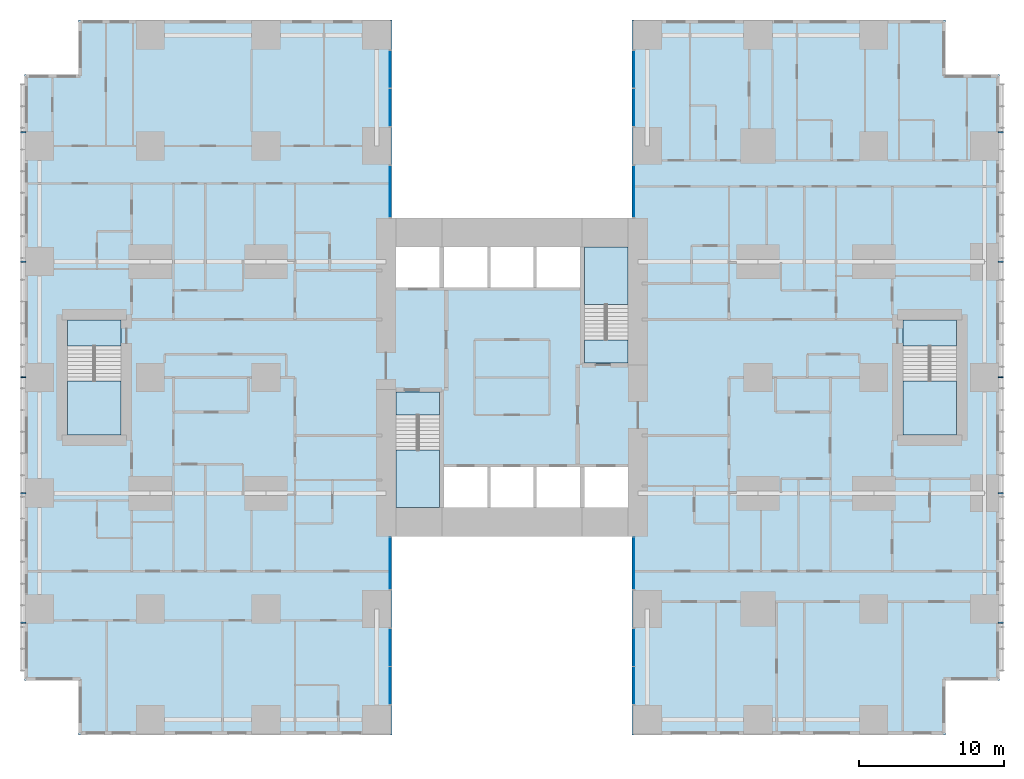
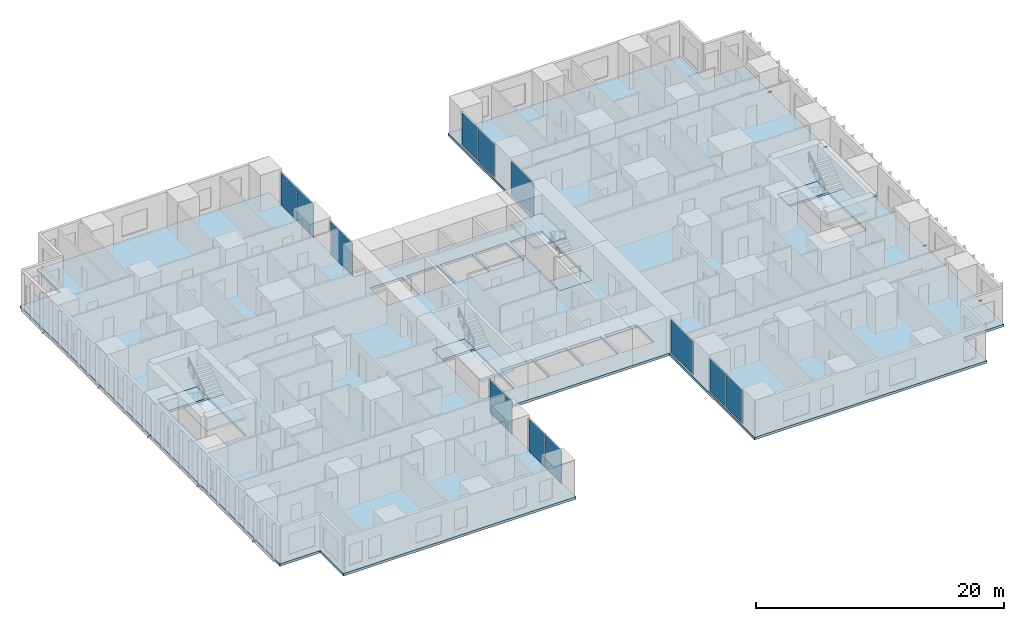
# One storey, part 7 of 21: 12 plates, 10 members, 9 slabs, 12 elements without a shape of their own.
"""IFC4 building model written with IfcOpenShell, lengths in metres."""

from ifc_helpers import new_model, si_unit, direction, frame, origin, origin_2d, place, context, subcontext, project, spatial, polyline, rectangle, hollow_rectangle, outline, extrude, material, layer, layer_set, material_profile, profile_set, type_object, element, aggregate, save


model = new_model("IFC4")

# Units and contexts
model_context = context("Model", 3, precision=1e-05, world=origin(), true_north=direction((0.0, 1.0)))
body_context = subcontext(model_context, "Body", "Model", "MODEL_VIEW")
ifc_project = project(units=[si_unit("LENGTHUNIT", "METRE"), si_unit("AREAUNIT", "SQUARE_METRE"), si_unit("VOLUMEUNIT", "CUBIC_METRE"), si_unit("PLANEANGLEUNIT", "RADIAN"), si_unit("MASSUNIT", "GRAM", prefix="KILO")], contexts=[model_context])

# Site, building, storey
site_placement = place(None, origin())
site = spatial("IfcSite", under=ifc_project, at=site_placement, CompositionType="ELEMENT")
building_placement = place(site_placement, origin())
building = spatial("IfcBuilding", under=site, at=building_placement, Name="Cleftline Residences", CompositionType="ELEMENT")
storey_placement = place(building_placement, frame((0.0, 0.0, 58.39990234375)))
storey = spatial("IfcBuildingStorey", under=building, at=storey_placement, Name="L14", CompositionType="ELEMENT", Elevation=58.39990234375)

# Members
ifc_material_1 = material(Name="Steel S355, hot-dip galvanised", Category="steel")
ifc_material_profile = material_profile(ifc_material_1, hollow_rectangle(XDim=0.10009765625, YDim=0.10009765625, WallThickness=0.008056640625, InnerFilletRadius=0.008056640625, OuterFilletRadius=0.011962890625, at=origin_2d()))
ifc_profile_set = profile_set([ifc_material_profile], Name="Steel S355, hot-dip galvanised")
member_type = type_object("IfcMemberType", Name="BAGUETTE BRACKET SHS 100X100X8", PredefinedType="USERDEFINED", material=ifc_profile_set)
for number, where, z_axis, x_axis, name in (
    (1, (66.60009765625, 7.050048828125, -0.14990234375), (1.0, 0.0, 0.0), (0.0, 1.0, 0.0), "Baguette bracket"),
    (2, (66.60009765625, 16.0, -0.14990234375), (1.0, 0.0, 0.0), (0.0, 1.0, 0.0), "Baguette bracket"),
    (3, (66.60009765625, 24.0, -0.14990234375), (1.0, 0.0, 0.0), (0.0, 1.0, 0.0), "Baguette bracket"),
    (4, (66.60009765625, 32.0, -0.14990234375), (1.0, 0.0, 0.0), (0.0, 1.0, 0.0), "Baguette bracket"),
    (5, (66.60009765625, 40.949951171875, -0.14990234375), (1.0, 0.0, 0.0), (0.0, 1.0, 0.0), "Baguette bracket"),
    (6, (-0.60009765625, 40.949951171875, -0.14990234375), (-1.0, 0.0, 0.0), (0.0, -1.0, 0.0), "Baguette bracket"),
    (7, (-0.60009765625, 32.0, -0.14990234375), (-1.0, 0.0, 0.0), (0.0, -1.0, 0.0), "Baguette bracket"),
    (8, (-0.60009765625, 24.0, -0.14990234375), (-1.0, 0.0, 0.0), (0.0, -1.0, 0.0), "Baguette bracket"),
    (9, (-0.60009765625, 16.0, -0.14990234375), (-1.0, 0.0, 0.0), (0.0, -1.0, 0.0), "Baguette bracket"),
    (10, (-0.60009765625, 7.050048828125, -0.14990234375), (-1.0, 0.0, 0.0), (0.0, -1.0, 0.0), "Baguette bracket"),
):
    element("IfcMember", number, at=place(storey_placement, frame(where, z_axis=z_axis, x_axis=x_axis)), inside=storey, type_object=member_type, Name=name, ObjectType="BAGUETTE BRACKET", PredefinedType="USERDEFINED", context=body_context, shape_type="SweptSolid", body=[
        extrude(hollow_rectangle(XDim=0.10009765625, YDim=0.10009765625, WallThickness=0.008056640625, InnerFilletRadius=0.008056640625, OuterFilletRadius=0.011962890625, at=origin_2d()), origin(), (0.0, 0.0, 1.0), 0.349853515625),
    ])

# Curtain wall, plates
ifc_material_2 = material(Name="Aluminium framed curtain wall", Category="aluminium")
ifc_layer_1 = layer(ifc_material_2, 0.199951171875)
ifc_layer_set_1 = layer_set([ifc_layer_1], Name="CW1 CLEFT GLAZING")
curtain_wall_type = type_object("IfcCurtainWallType", Name="CW1 CLEFT GLAZING", PredefinedType="NOTDEFINED", material=ifc_layer_set_1)
curtain_wall_1_placement = place(storey_placement, origin())
curtain_wall_1 = element("IfcCurtainWall", 11, at=curtain_wall_1_placement, inside=storey, type_object=curtain_wall_type, Name="Curtain wall CW1", PredefinedType="NOTDEFINED")
ifc_material_3 = material(Name="Laminated clear glass", Category="glass")
ifc_layer_2 = layer(ifc_material_3, 0.028076171875)
ifc_layer_set_2 = layer_set([ifc_layer_2], Name="CW1 GLASS PANEL")
plate_type = type_object("IfcPlateType", Name="CW1 GLASS PANEL", PredefinedType="CURTAIN_PANEL", material=ifc_layer_set_2)
plate_1_placement = place(storey_placement, frame((24.574951171875, 2.702392578125, 0.06005859375), z_axis=(0.0, 0.0, 1.0), x_axis=(0.0, 1.0, 0.0)))
plate_1 = element("IfcPlate", 12, at=plate_1_placement, type_object=plate_type, Name="CW1 panel 1.1", PredefinedType="CURTAIN_PANEL", context=body_context, shape_type="SweptSolid", body=[
    extrude(rectangle(XDim=2.5849609375, YDim=0.028076171875, at=origin_2d()), origin(), (0.0, 0.0, 1.0), 3.22998046875),
])
plate_2_placement = place(storey_placement, frame((24.574951171875, 5.347412109375, 0.06005859375), z_axis=(0.0, 0.0, 1.0), x_axis=(0.0, 1.0, 0.0)))
plate_2 = element("IfcPlate", 13, at=plate_2_placement, type_object=plate_type, Name="CW1 panel 2.1", PredefinedType="CURTAIN_PANEL", context=body_context, shape_type="SweptSolid", body=[
    extrude(rectangle(XDim=2.5849609375, YDim=0.028076171875, at=origin_2d()), origin(), (0.0, 0.0, 1.0), 3.22998046875),
])
aggregate(curtain_wall_1, [plate_1, plate_2])

# Curtain wall, plate
curtain_wall_2_placement = place(storey_placement, origin())
curtain_wall_2 = element("IfcCurtainWall", 14, at=curtain_wall_2_placement, inside=storey, type_object=curtain_wall_type, Name="Curtain wall CW1", PredefinedType="NOTDEFINED")
plate_3_placement = place(storey_placement, frame((24.574951171875, 11.14990234375, 0.06005859375), z_axis=(0.0, 0.0, 1.0), x_axis=(0.0, 1.0, 0.0)))
plate_3 = element("IfcPlate", 15, at=plate_3_placement, type_object=plate_type, Name="CW1 panel 1.1", PredefinedType="CURTAIN_PANEL", context=body_context, shape_type="SweptSolid", body=[
    extrude(rectangle(XDim=3.580078125, YDim=0.028076171875, at=origin_2d()), origin(), (0.0, 0.0, 1.0), 3.22998046875),
])
aggregate(curtain_wall_2, [plate_3])

curtain_wall_3_placement = place(storey_placement, origin())
curtain_wall_3 = element("IfcCurtainWall", 16, at=curtain_wall_3_placement, inside=storey, type_object=curtain_wall_type, Name="Curtain wall CW1", PredefinedType="NOTDEFINED")
plate_4_placement = place(storey_placement, frame((41.425048828125, 11.14990234375, 0.06005859375), z_axis=(0.0, 0.0, 1.0), x_axis=(0.0, -1.0, 0.0)))
plate_4 = element("IfcPlate", 17, at=plate_4_placement, type_object=plate_type, Name="CW1 panel 1.1", PredefinedType="CURTAIN_PANEL", context=body_context, shape_type="SweptSolid", body=[
    extrude(rectangle(XDim=3.580078125, YDim=0.028076171875, at=origin_2d()), origin(), (0.0, 0.0, 1.0), 3.22998046875),
])
aggregate(curtain_wall_3, [plate_4])

# Curtain wall, plates
curtain_wall_4_placement = place(storey_placement, origin())
curtain_wall_4 = element("IfcCurtainWall", 18, at=curtain_wall_4_placement, inside=storey, type_object=curtain_wall_type, Name="Curtain wall CW1", PredefinedType="NOTDEFINED")
plate_5_placement = place(storey_placement, frame((41.425048828125, 5.347412109375, 0.06005859375), z_axis=(0.0, 0.0, 1.0), x_axis=(0.0, -1.0, 0.0)))
plate_5 = element("IfcPlate", 19, at=plate_5_placement, type_object=plate_type, Name="CW1 panel 1.1", PredefinedType="CURTAIN_PANEL", context=body_context, shape_type="SweptSolid", body=[
    extrude(rectangle(XDim=2.5849609375, YDim=0.028076171875, at=origin_2d()), origin(), (0.0, 0.0, 1.0), 3.22998046875),
])
plate_6_placement = place(storey_placement, frame((41.425048828125, 2.702392578125, 0.06005859375), z_axis=(0.0, 0.0, 1.0), x_axis=(0.0, -1.0, 0.0)))
plate_6 = element("IfcPlate", 20, at=plate_6_placement, type_object=plate_type, Name="CW1 panel 2.1", PredefinedType="CURTAIN_PANEL", context=body_context, shape_type="SweptSolid", body=[
    extrude(rectangle(XDim=2.5849609375, YDim=0.028076171875, at=origin_2d()), origin(), (0.0, 0.0, 1.0), 3.22998046875),
])
aggregate(curtain_wall_4, [plate_5, plate_6])

curtain_wall_5_placement = place(storey_placement, origin())
curtain_wall_5 = element("IfcCurtainWall", 21, at=curtain_wall_5_placement, inside=storey, type_object=curtain_wall_type, Name="Curtain wall CW1", PredefinedType="NOTDEFINED")
plate_7_placement = place(storey_placement, frame((41.425048828125, 45.297607421875, 0.06005859375), z_axis=(0.0, 0.0, 1.0), x_axis=(0.0, -1.0, 0.0)))
plate_7 = element("IfcPlate", 22, at=plate_7_placement, type_object=plate_type, Name="CW1 panel 1.1", PredefinedType="CURTAIN_PANEL", context=body_context, shape_type="SweptSolid", body=[
    extrude(rectangle(XDim=2.5849609375, YDim=0.028076171875, at=origin_2d()), origin(), (0.0, 0.0, 1.0), 3.22998046875),
])
plate_8_placement = place(storey_placement, frame((41.425048828125, 42.652587890625, 0.06005859375), z_axis=(0.0, 0.0, 1.0), x_axis=(0.0, -1.0, 0.0)))
plate_8 = element("IfcPlate", 23, at=plate_8_placement, type_object=plate_type, Name="CW1 panel 2.1", PredefinedType="CURTAIN_PANEL", context=body_context, shape_type="SweptSolid", body=[
    extrude(rectangle(XDim=2.5849609375, YDim=0.028076171875, at=origin_2d()), origin(), (0.0, 0.0, 1.0), 3.22998046875),
])
aggregate(curtain_wall_5, [plate_7, plate_8])

# Curtain wall, plate
curtain_wall_6_placement = place(storey_placement, origin())
curtain_wall_6 = element("IfcCurtainWall", 24, at=curtain_wall_6_placement, inside=storey, type_object=curtain_wall_type, Name="Curtain wall CW1", PredefinedType="NOTDEFINED")
plate_9_placement = place(storey_placement, frame((41.425048828125, 36.85009765625, 0.06005859375), z_axis=(0.0, 0.0, 1.0), x_axis=(0.0, -1.0, 0.0)))
plate_9 = element("IfcPlate", 25, at=plate_9_placement, type_object=plate_type, Name="CW1 panel 1.1", PredefinedType="CURTAIN_PANEL", context=body_context, shape_type="SweptSolid", body=[
    extrude(rectangle(XDim=3.580078125, YDim=0.028076171875, at=origin_2d()), origin(), (0.0, 0.0, 1.0), 3.22998046875),
])
aggregate(curtain_wall_6, [plate_9])

curtain_wall_7_placement = place(storey_placement, origin())
curtain_wall_7 = element("IfcCurtainWall", 26, at=curtain_wall_7_placement, inside=storey, type_object=curtain_wall_type, Name="Curtain wall CW1", PredefinedType="NOTDEFINED")
plate_10_placement = place(storey_placement, frame((24.574951171875, 36.85009765625, 0.06005859375), z_axis=(0.0, 0.0, 1.0), x_axis=(0.0, 1.0, 0.0)))
plate_10 = element("IfcPlate", 27, at=plate_10_placement, type_object=plate_type, Name="CW1 panel 1.1", PredefinedType="CURTAIN_PANEL", context=body_context, shape_type="SweptSolid", body=[
    extrude(rectangle(XDim=3.580078125, YDim=0.028076171875, at=origin_2d()), origin(), (0.0, 0.0, 1.0), 3.22998046875),
])
aggregate(curtain_wall_7, [plate_10])

# Curtain wall, plates
curtain_wall_8_placement = place(storey_placement, origin())
curtain_wall_8 = element("IfcCurtainWall", 28, at=curtain_wall_8_placement, inside=storey, type_object=curtain_wall_type, Name="Curtain wall CW1", PredefinedType="NOTDEFINED")
plate_11_placement = place(storey_placement, frame((24.574951171875, 42.652587890625, 0.06005859375), z_axis=(0.0, 0.0, 1.0), x_axis=(0.0, 1.0, 0.0)))
plate_11 = element("IfcPlate", 29, at=plate_11_placement, type_object=plate_type, Name="CW1 panel 1.1", PredefinedType="CURTAIN_PANEL", context=body_context, shape_type="SweptSolid", body=[
    extrude(rectangle(XDim=2.5849609375, YDim=0.028076171875, at=origin_2d()), origin(), (0.0, 0.0, 1.0), 3.22998046875),
])
plate_12_placement = place(storey_placement, frame((24.574951171875, 45.297607421875, 0.06005859375), z_axis=(0.0, 0.0, 1.0), x_axis=(0.0, 1.0, 0.0)))
plate_12 = element("IfcPlate", 30, at=plate_12_placement, type_object=plate_type, Name="CW1 panel 2.1", PredefinedType="CURTAIN_PANEL", context=body_context, shape_type="SweptSolid", body=[
    extrude(rectangle(XDim=2.5849609375, YDim=0.028076171875, at=origin_2d()), origin(), (0.0, 0.0, 1.0), 3.22998046875),
])
aggregate(curtain_wall_8, [plate_11, plate_12])

# Slab
ifc_material_4 = material(Name="Concrete B45", Category="concrete")
ifc_layer_3 = layer(ifc_material_4, 0.25)
ifc_layer_set_3 = layer_set([ifc_layer_3], Name="FLOOR SLAB 250")
slab_type_1 = type_object("IfcSlabType", Name="FLOOR SLAB 250", PredefinedType="FLOOR", material=ifc_layer_set_3)
slab_1_placement = place(storey_placement, frame((0.0, 0.0, -0.25)))
element("IfcSlab", 31, at=slab_1_placement, inside=storey, type_object=slab_type_1, Name="Floor slab L14", PredefinedType="FLOOR", context=body_context, shape_type="SweptSolid", body=[
    extrude(outline(polyline([(24.699951171875, 13.0), (41.300048828125, 13.0), (41.300048828125, -0.699951171875), (62.949951171875, -0.699951171875), (62.949951171875, 3.050048828125), (66.699951171875, 3.050048828125), (66.699951171875, 44.949951171875), (62.949951171875, 44.949951171875), (62.949951171875, 48.699951171875), (41.300048828125, 48.699951171875), (41.300048828125, 35.0), (24.699951171875, 35.0), (24.699951171875, 48.699951171875), (3.050048828125, 48.699951171875), (3.050048828125, 44.949951171875), (-0.699951171875, 44.949951171875), (-0.699951171875, 3.050048828125), (3.050048828125, 3.050048828125), (3.050048828125, -0.699951171875), (24.699951171875, -0.699951171875), (24.699951171875, 13.0)]), holes=[polyline([(28.0, 15.0), (28.0, 23.0), (25.0, 23.0), (25.0, 15.0), (28.0, 15.0)]), polyline([(41.0, 25.0), (41.0, 33.0), (38.0, 33.0), (38.0, 25.0), (41.0, 25.0)]), polyline([(28.0, 30.199951171875), (28.0, 33.0), (25.0, 33.0), (25.0, 30.199951171875), (28.0, 30.199951171875)]), polyline([(41.0, 15.0), (41.0, 17.800048828125), (38.0, 17.800048828125), (38.0, 15.0), (41.0, 15.0)]), polyline([(31.300048828125, 15.0), (31.300048828125, 17.800048828125), (28.300048828125, 17.800048828125), (28.300048828125, 15.0), (31.300048828125, 15.0)]), polyline([(34.5, 15.0), (34.5, 17.800048828125), (31.5, 17.800048828125), (31.5, 15.0), (34.5, 15.0)]), polyline([(37.699951171875, 15.0), (37.699951171875, 17.800048828125), (34.699951171875, 17.800048828125), (34.699951171875, 15.0), (37.699951171875, 15.0)]), polyline([(31.300048828125, 30.199951171875), (31.300048828125, 33.0), (28.300048828125, 33.0), (28.300048828125, 30.199951171875), (31.300048828125, 30.199951171875)]), polyline([(34.5, 30.199951171875), (34.5, 33.0), (31.5, 33.0), (31.5, 30.199951171875), (34.5, 30.199951171875)]), polyline([(37.699951171875, 30.199951171875), (37.699951171875, 33.0), (34.699951171875, 33.0), (34.699951171875, 30.199951171875), (37.699951171875, 30.199951171875)]), polyline([(63.72509765625, 20.02490234375), (63.72509765625, 27.97509765625), (60.02490234375, 27.97509765625), (60.02490234375, 20.02490234375), (63.72509765625, 20.02490234375)]), polyline([(5.97509765625, 20.02490234375), (5.97509765625, 27.97509765625), (2.27490234375, 27.97509765625), (2.27490234375, 20.02490234375), (5.97509765625, 20.02490234375)])]), origin(), (0.0, 0.0, 1.0), 0.25),
])

# Stair, slabs
ifc_material_5 = material(Name="Concrete B45, stone treads", Category="masonry")
stair_type_1 = type_object("IfcStairType", Name="STAIR A 1450 WIDE 180 RISER", PredefinedType="HALF_TURN_STAIR", material=ifc_material_5)
stair_1_placement = place(storey_placement, origin())
stair_1 = element("IfcStair", 32, at=stair_1_placement, inside=storey, type_object=stair_type_1, Name="Stair A L14", PredefinedType="HALF_TURN_STAIR")
ifc_material_6 = material(Name="Concrete B45", Category="concrete")
ifc_layer_4 = layer(ifc_material_6, 0.199951171875)
ifc_layer_set_4 = layer_set([ifc_layer_4], Name="STAIR LANDING 200")
slab_type_2 = type_object("IfcSlabType", Name="STAIR LANDING 200", PredefinedType="LANDING", material=ifc_layer_set_4)
slab_2_placement = place(storey_placement, frame((0.0, 0.0, -0.199951171875)))
slab_2 = element("IfcSlab", 33, at=slab_2_placement, type_object=slab_type_2, Name="ST-A landing 1", PredefinedType="LANDING", context=body_context, shape_type="SweptSolid", body=[
    extrude(outline(polyline([(25.0, 21.39990234375), (28.0, 21.39990234375), (28.0, 23.0), (25.0, 23.0), (25.0, 21.39990234375)])), origin(), (0.0, 0.0, 1.0), 0.199951171875),
])
slab_3_placement = place(storey_placement, frame((0.0, 0.0, 1.60009765625)))
slab_3 = element("IfcSlab", 34, at=slab_3_placement, type_object=slab_type_2, Name="ST-A landing 2", PredefinedType="LANDING", context=body_context, shape_type="SweptSolid", body=[
    extrude(outline(polyline([(25.0, 15.0), (28.0, 15.0), (28.0, 18.969970703125), (25.0, 18.969970703125), (25.0, 15.0)])), origin(), (0.0, 0.0, 1.0), 0.199951171875),
])
aggregate(stair_1, [slab_2, slab_3])

ifc_material_7 = material(Name="Concrete B45, stone treads", Category="masonry")
stair_type_2 = type_object("IfcStairType", Name="STAIR B 1450 WIDE 180 RISER", PredefinedType="HALF_TURN_STAIR", material=ifc_material_7)
stair_2_placement = place(storey_placement, origin())
stair_2 = element("IfcStair", 35, at=stair_2_placement, inside=storey, type_object=stair_type_2, Name="Stair B L14", PredefinedType="HALF_TURN_STAIR")
slab_4_placement = place(storey_placement, frame((0.0, 0.0, -0.199951171875)))
slab_4 = element("IfcSlab", 36, at=slab_4_placement, type_object=slab_type_2, Name="ST-B landing 1", PredefinedType="LANDING", context=body_context, shape_type="SweptSolid", body=[
    extrude(outline(polyline([(38.0, 25.0), (41.0, 25.0), (41.0, 26.60009765625), (38.0, 26.60009765625), (38.0, 25.0)])), origin(), (0.0, 0.0, 1.0), 0.199951171875),
])
slab_5_placement = place(storey_placement, frame((0.0, 0.0, 1.60009765625)))
slab_5 = element("IfcSlab", 37, at=slab_5_placement, type_object=slab_type_2, Name="ST-B landing 2", PredefinedType="LANDING", context=body_context, shape_type="SweptSolid", body=[
    extrude(outline(polyline([(38.0, 29.030029296875), (41.0, 29.030029296875), (41.0, 33.0), (38.0, 33.0), (38.0, 29.030029296875)])), origin(), (0.0, 0.0, 1.0), 0.199951171875),
])
aggregate(stair_2, [slab_4, slab_5])

ifc_material_8 = material(Name="Concrete B45, stone treads", Category="masonry")
stair_type_3 = type_object("IfcStairType", Name="STAIR E 1800 WIDE 180 RISER", PredefinedType="HALF_TURN_STAIR", material=ifc_material_8)
stair_3_placement = place(storey_placement, origin())
stair_3 = element("IfcStair", 38, at=stair_3_placement, inside=storey, type_object=stair_type_3, Name="Stair E L14", PredefinedType="HALF_TURN_STAIR")
slab_6_placement = place(storey_placement, frame((0.0, 0.0, -0.199951171875)))
slab_6 = element("IfcSlab", 39, at=slab_6_placement, type_object=slab_type_2, Name="ST-E landing 1", PredefinedType="LANDING", context=body_context, shape_type="SweptSolid", body=[
    extrude(outline(polyline([(60.02490234375, 26.175048828125), (63.72509765625, 26.175048828125), (63.72509765625, 27.97509765625), (60.02490234375, 27.97509765625), (60.02490234375, 26.175048828125)])), origin(), (0.0, 0.0, 1.0), 0.199951171875),
])
slab_7_placement = place(storey_placement, frame((0.0, 0.0, 1.60009765625)))
slab_7 = element("IfcSlab", 40, at=slab_7_placement, type_object=slab_type_2, Name="ST-E landing 2", PredefinedType="LANDING", context=body_context, shape_type="SweptSolid", body=[
    extrude(outline(polyline([(60.02490234375, 20.02490234375), (63.72509765625, 20.02490234375), (63.72509765625, 23.7451171875), (60.02490234375, 23.7451171875), (60.02490234375, 20.02490234375)])), origin(), (0.0, 0.0, 1.0), 0.199951171875),
])
aggregate(stair_3, [slab_6, slab_7])

ifc_material_9 = material(Name="Concrete B45, stone treads", Category="masonry")
stair_type_4 = type_object("IfcStairType", Name="STAIR W 1800 WIDE 180 RISER", PredefinedType="HALF_TURN_STAIR", material=ifc_material_9)
stair_4_placement = place(storey_placement, origin())
stair_4 = element("IfcStair", 41, at=stair_4_placement, inside=storey, type_object=stair_type_4, Name="Stair W L14", PredefinedType="HALF_TURN_STAIR")
slab_8_placement = place(storey_placement, frame((0.0, 0.0, -0.199951171875)))
slab_8 = element("IfcSlab", 42, at=slab_8_placement, type_object=slab_type_2, Name="ST-W landing 1", PredefinedType="LANDING", context=body_context, shape_type="SweptSolid", body=[
    extrude(outline(polyline([(2.27490234375, 26.175048828125), (5.97509765625, 26.175048828125), (5.97509765625, 27.97509765625), (2.27490234375, 27.97509765625), (2.27490234375, 26.175048828125)])), origin(), (0.0, 0.0, 1.0), 0.199951171875),
])
slab_9_placement = place(storey_placement, frame((0.0, 0.0, 1.60009765625)))
slab_9 = element("IfcSlab", 43, at=slab_9_placement, type_object=slab_type_2, Name="ST-W landing 2", PredefinedType="LANDING", context=body_context, shape_type="SweptSolid", body=[
    extrude(outline(polyline([(2.27490234375, 20.02490234375), (5.97509765625, 20.02490234375), (5.97509765625, 23.7451171875), (2.27490234375, 23.7451171875), (2.27490234375, 20.02490234375)])), origin(), (0.0, 0.0, 1.0), 0.199951171875),
])
aggregate(stair_4, [slab_8, slab_9])

save(model, "model.ifc")
